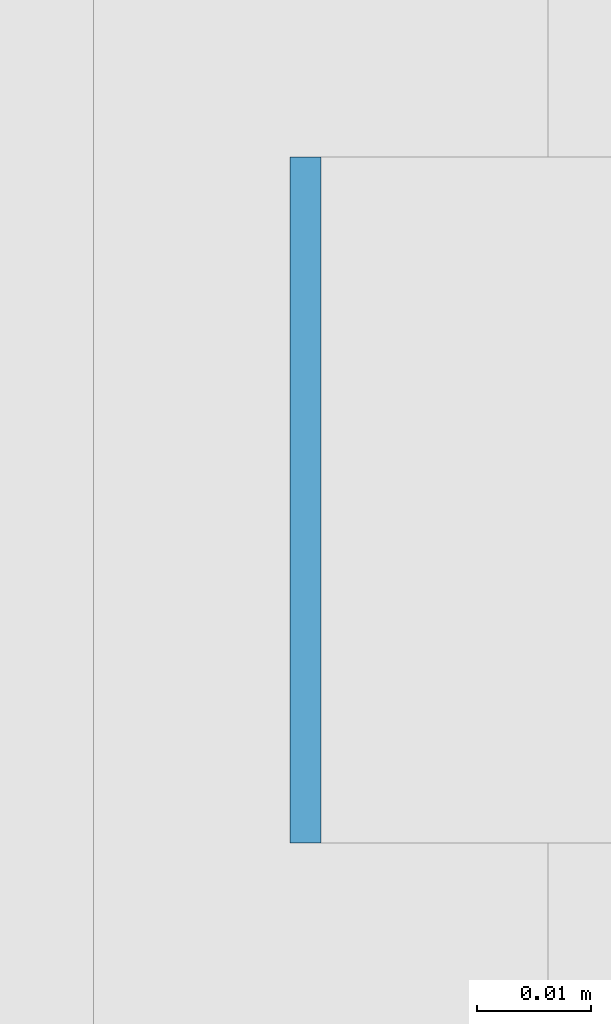
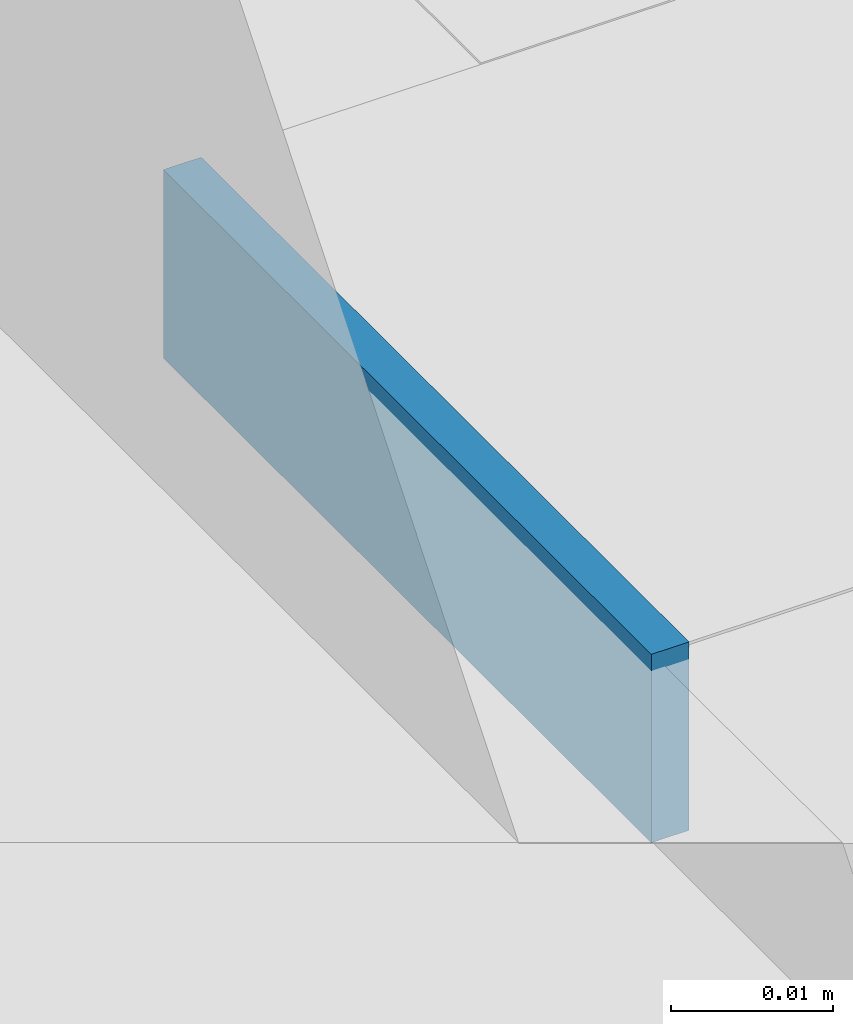
# One storey, part 433 of 646: 1 discrete accessory.
"""IFC4 building model written with IfcOpenShell, lengths in metres."""

from ifc_helpers import new_model, si_unit, direction, frame, origin, origin_2d, place, context, subcontext, project, spatial, rectangle, extrude, material, type_object, element, save


model = new_model("IFC4")

# Units and contexts
model_context = context("Model", 3, precision=1e-05, world=origin(), true_north=direction((0.0, 1.0)))
body_context = subcontext(model_context, "Body", "Model", "MODEL_VIEW")
ifc_project = project(units=[si_unit("LENGTHUNIT", "METRE"), si_unit("AREAUNIT", "SQUARE_METRE"), si_unit("VOLUMEUNIT", "CUBIC_METRE"), si_unit("PLANEANGLEUNIT", "RADIAN"), si_unit("MASSUNIT", "GRAM", prefix="KILO")], contexts=[model_context])

# Site, building, storey
site_placement = place(None, origin())
site = spatial("IfcSite", under=ifc_project, at=site_placement, CompositionType="ELEMENT")
building_placement = place(site_placement, origin())
building = spatial("IfcBuilding", under=site, at=building_placement, Name="Silverbay Arena", CompositionType="ELEMENT")
storey_placement = place(building_placement, frame((0.0, 0.0, 33.5)))
storey = spatial("IfcBuildingStorey", under=building, at=storey_placement, Name="L05", CompositionType="ELEMENT", Elevation=33.5)

# Discrete accessory
ifc_material = material(Name="Steel S355", Category="steel")
discrete_accessory_type = type_object("IfcDiscreteAccessoryType", Name="Steel bracket plate", PredefinedType="BRACKET", material=ifc_material)
discrete_accessory_placement = place(storey_placement, frame((207.128662109375, 28.833251953125, 12.98583984375), z_axis=(0.0, 0.0, 1.0), x_axis=(1.0, 0.0, 0.0)))
element("IfcDiscreteAccessory", 1, at=discrete_accessory_placement, inside=storey, type_object=discrete_accessory_type, Name="Curtain wall packing plate", PredefinedType="BRACKET", context=body_context, shape_type="SweptSolid", body=[
    extrude(rectangle(XDim=0.002685546875, YDim=0.06005859375, at=origin_2d()), origin(), (0.0, 0.0, 1.0), 0.01416015625),
])

save(model, "model.ifc")
